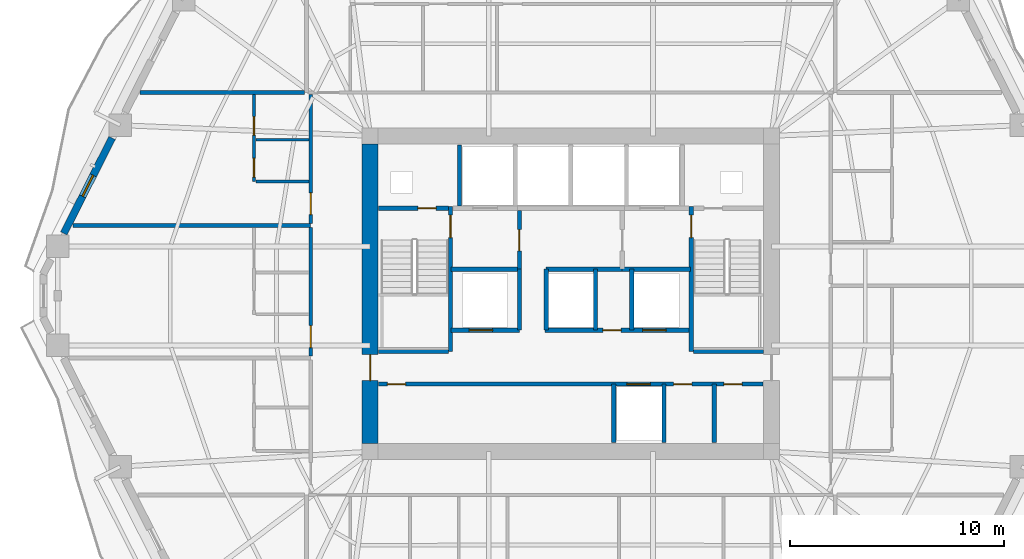
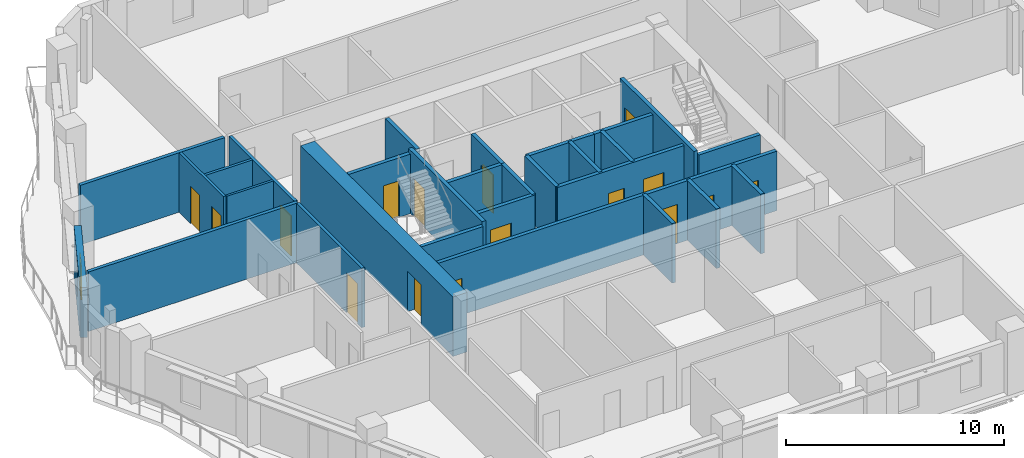
# One storey, part 5 of 12: 29 walls, 16 doors, 1 window, 17 openings.
"""IFC4 building model written with IfcOpenShell, lengths in metres."""

from ifc_helpers import new_model, si_unit, direction, frame, frame_2d, origin, place, context, subcontext, project, spatial, rectangle, extrude, material, layer, layer_set, type_object, element, fill, save


model = new_model("IFC4")

# Units and contexts
model_context = context("Model", 3, precision=1e-05, world=origin(), true_north=direction((0.0, 1.0)))
body_context = subcontext(model_context, "Body", "Model", "MODEL_VIEW")
ifc_project = project(units=[si_unit("LENGTHUNIT", "METRE"), si_unit("AREAUNIT", "SQUARE_METRE"), si_unit("VOLUMEUNIT", "CUBIC_METRE"), si_unit("PLANEANGLEUNIT", "RADIAN"), si_unit("MASSUNIT", "GRAM", prefix="KILO")], contexts=[model_context])

# Site, building, storey
site_placement = place(None, origin())
site = spatial("IfcSite", under=ifc_project, at=site_placement, CompositionType="ELEMENT")
building_placement = place(site_placement, origin())
building = spatial("IfcBuilding", under=site, at=building_placement, Name="Cinnabar Lancet Tower", CompositionType="ELEMENT")
storey_placement = place(building_placement, frame((0.0, 0.0, 123.25)))
storey = spatial("IfcBuildingStorey", under=building, at=storey_placement, Name="L32", CompositionType="ELEMENT", Elevation=123.25)

# Wall, opening, door
ifc_material_1 = material(Name="Acoustic twin-stud gypsum partition", Category="gypsum")
ifc_layer_1 = layer(ifc_material_1, 0.159912109375)
ifc_layer_set_1 = layer_set([ifc_layer_1], Name="Acoustic twin-stud gypsum partition")
wall_type_1 = type_object("IfcWallType", Name="ARC-WL-CORR-160", PredefinedType="PARTITIONING", material=ifc_layer_set_1)
wall_1_placement = place(storey_placement, frame((20.25, 22.987060546875, 0.0), z_axis=(0.0, 0.0, 1.0), x_axis=(0.0, 1.0, 0.0)))
wall_1 = element("IfcWall", 1, at=wall_1_placement, inside=storey, type_object=wall_type_1, Name="UW-L32-W02-COR", PredefinedType="PARTITIONING", context=body_context, shape_type="SweptSolid", body=[
    extrude(rectangle(XDim=6.013916015625, YDim=0.159912109375, at=frame_2d((3.0068359375, 0.0))), origin(), (0.0, 0.0, 1.0), 3.340087890625),
])
opening_1_placement = place(wall_1_placement, frame((0.39990234375, 0.0, 0.0)))
opening_1 = element("IfcOpeningElement", 2, at=opening_1_placement, cuts=wall_1, Name="Opening UD-01", PredefinedType="OPENING", context=body_context, shape_type="SweptSolid", body=[
    extrude(rectangle(XDim=1.02001953125, YDim=2.25, at=frame_2d((0.510009765625, 1.125))), frame((0.0, 0.08984375, 0.0), z_axis=(0.0, -1.0, 0.0), x_axis=(1.0, 0.0, 0.0)), (0.0, 0.0, 1.0), 0.179931640625),
])
ifc_material_2 = material(Name="Solid timber fire-rated apartment entrance door", Category="wood")
door_type_1 = type_object("IfcDoorType", Name="ARC-DR-UNIT", OperationType="NOTDEFINED", PredefinedType="DOOR", material=ifc_material_2)
door_1_placement = place(opening_1_placement, origin())
door_1 = element("IfcDoor", 3, at=door_1_placement, inside=storey, type_object=door_type_1, Name="DR-L32-W02-ENT", OperationType="SINGLE_SWING_RIGHT", OverallHeight=2.25, OverallWidth=1.02001953125, PredefinedType="DOOR", context=body_context, shape_type="SweptSolid", body=[
    extrude(rectangle(XDim=1.02001953125, YDim=2.25, at=frame_2d((0.510009765625, 1.125))), frame((0.0, 0.02490234375, 0.0), z_axis=(0.0, -1.0, 0.0), x_axis=(1.0, 0.0, 0.0)), (0.0, 0.0, 1.0), 0.050048828125),
])
fill(opening_1, door_1)

wall_2_placement = place(storey_placement, frame((20.25, 29.19091796875, 0.0), z_axis=(0.0, 0.0, 1.0), x_axis=(0.0, 1.0, 0.0)))
wall_2 = element("IfcWall", 4, at=wall_2_placement, inside=storey, type_object=wall_type_1, Name="UW-L32-W03-COR", PredefinedType="PARTITIONING", context=body_context, shape_type="SweptSolid", body=[
    extrude(rectangle(XDim=6.01416015625, YDim=0.159912109375, at=frame_2d((3.007080078125, 0.0))), origin(), (0.0, 0.0, 1.0), 3.340087890625),
])
opening_2_placement = place(wall_2_placement, frame((0.39990234375, 0.0, 0.0)))
opening_2 = element("IfcOpeningElement", 5, at=opening_2_placement, cuts=wall_2, Name="Opening UD-01", PredefinedType="OPENING", context=body_context, shape_type="SweptSolid", body=[
    extrude(rectangle(XDim=1.02001953125, YDim=2.25, at=frame_2d((0.510009765625, 1.125))), frame((0.0, 0.08984375, 0.0), z_axis=(0.0, -1.0, 0.0), x_axis=(1.0, 0.0, 0.0)), (0.0, 0.0, 1.0), 0.179931640625),
])
door_2_placement = place(opening_2_placement, origin())
door_2 = element("IfcDoor", 6, at=door_2_placement, inside=storey, type_object=door_type_1, Name="DR-L32-W03-ENT", OperationType="SINGLE_SWING_LEFT", OverallHeight=2.25, OverallWidth=1.02001953125, PredefinedType="DOOR", context=body_context, shape_type="SweptSolid", body=[
    extrude(rectangle(XDim=1.02001953125, YDim=2.25, at=frame_2d((0.510009765625, 1.125))), frame((0.0, 0.02490234375, 0.0), z_axis=(0.0, -1.0, 0.0), x_axis=(1.0, 0.0, 0.0)), (0.0, 0.0, 1.0), 0.050048828125),
])
fill(opening_2, door_2)

# Walls
ifc_material_3 = material(Name="Fire-rated twin-frame acoustic drywall", Category="gypsum")
ifc_layer_2 = layer(ifc_material_3, 0.179931640625)
ifc_layer_set_2 = layer_set([ifc_layer_2], Name="Fire-rated twin-frame acoustic drywall")
wall_type_2 = type_object("IfcWallType", Name="ARC-WL-PARTY-180", PredefinedType="PARTITIONING", material=ifc_layer_set_2)
wall_3_placement = place(storey_placement, frame((12.285888671875, 35.300048828125, 0.0), z_axis=(0.0, 0.0, 1.0), x_axis=(1.0, 0.0, 0.0)))
element("IfcWall", 7, at=wall_3_placement, inside=storey, type_object=wall_type_2, Name="PW-L32-WNB", PredefinedType="PARTITIONING", context=body_context, shape_type="SweptSolid", body=[
    extrude(rectangle(XDim=7.669189453125, YDim=0.179931640625, at=frame_2d((3.83447265625, 0.0))), origin(), (0.0, 0.0, 1.0), 3.340087890625),
])
wall_4_placement = place(storey_placement, frame((9.14697265625, 29.095947265625, 0.0), z_axis=(0.0, 0.0, 1.0), x_axis=(1.0, 0.0, 0.0)))
element("IfcWall", 8, at=wall_4_placement, inside=storey, type_object=wall_type_2, Name="PW-L32-WPTY-2", PredefinedType="PARTITIONING", context=body_context, shape_type="SweptSolid", body=[
    extrude(rectangle(XDim=11.10302734375, YDim=0.179931640625, at=frame_2d((5.551513671875, 0.0))), origin(), (0.0, 0.0, 1.0), 3.340087890625),
])
ifc_material_4 = material(Name="Autoclaved aerated concrete blockwork", Category="masonry")
ifc_layer_3 = layer(ifc_material_4, 0.199951171875)
ifc_layer_set_3 = layer_set([ifc_layer_3], Name="Autoclaved aerated concrete blockwork")
wall_type_3 = type_object("IfcWallType", Name="ARC-WL-SHAFT-200", PredefinedType="PLUMBINGWALL", material=ifc_layer_set_3)
for number, where, z_axis, x_axis, name in (
    (9, (23.405029296875, 23.199951171875, 0.0), (0.0, 0.0, 1.0), (1.0, 0.0, 0.0), "CW-ST1S-L32"),
    (10, (38.125, 23.199951171875, 0.0), (0.0, 0.0, 1.0), (1.0, 0.0, 0.0), "CW-ST2S-L32"),
):
    element("IfcWall", number, at=place(storey_placement, frame(where, z_axis=z_axis, x_axis=x_axis)), inside=storey, type_object=wall_type_3, Name=name, PredefinedType="PLUMBINGWALL", context=body_context, shape_type="SweptSolid", body=[
        extrude(rectangle(XDim=3.27001953125, YDim=0.199951171875, at=frame_2d((1.635009765625, 0.0))), origin(), (0.0, 0.0, 1.0), 3.340087890625),
    ])

# Wall, opening, door
wall_5_placement = place(storey_placement, frame((23.405029296875, 29.89990234375, 0.0), z_axis=(0.0, 0.0, 1.0), x_axis=(1.0, 0.0, 0.0)))
wall_5 = element("IfcWall", 11, at=wall_5_placement, inside=storey, type_object=wall_type_3, Name="CW-NSH-W-L32", PredefinedType="PLUMBINGWALL", context=body_context, shape_type="SweptSolid", body=[
    extrude(rectangle(XDim=3.27001953125, YDim=0.199951171875, at=frame_2d((1.635009765625, 0.0))), origin(), (0.0, 0.0, 1.0), 3.340087890625),
])
opening_3_placement = place(wall_5_placement, frame((1.85009765625, 0.0, 0.0)))
opening_3 = element("IfcOpeningElement", 12, at=opening_3_placement, cuts=wall_5, Name="Opening PD-02", PredefinedType="OPENING", context=body_context, shape_type="SweptSolid", body=[
    extrude(rectangle(XDim=0.85009765625, YDim=2.050048828125, at=frame_2d((0.425048828125, 1.02490234375))), frame((0.0, 0.10986328125, 0.0), z_axis=(0.0, -1.0, 0.0), x_axis=(1.0, 0.0, 0.0)), (0.0, 0.0, 1.0), 0.219970703125),
])
ifc_material_5 = material(Name="Fire-rated steel riser access door", Category="steel")
door_type_2 = type_object("IfcDoorType", Name="ARC-DR-RISER", OperationType="NOTDEFINED", PredefinedType="DOOR", material=ifc_material_5)
door_3_placement = place(opening_3_placement, origin())
door_3 = element("IfcDoor", 13, at=door_3_placement, inside=storey, type_object=door_type_2, Name="L32 West Riser Access Door", OperationType="SINGLE_SWING_LEFT", OverallHeight=2.050048828125, OverallWidth=0.85009765625, PredefinedType="DOOR", context=body_context, shape_type="SweptSolid", body=[
    extrude(rectangle(XDim=0.85009765625, YDim=2.050048828125, at=frame_2d((0.425048828125, 1.02490234375))), frame((0.0, 0.02490234375, 0.0), z_axis=(0.0, -1.0, 0.0), x_axis=(1.0, 0.0, 0.0)), (0.0, 0.0, 1.0), 0.050048828125),
])
fill(opening_3, door_3)

# Wall
wall_6_placement = place(storey_placement, frame((27.199951171875, 30.0, 0.0), z_axis=(0.0, 0.0, 1.0), x_axis=(0.0, 1.0, 0.0)))
element("IfcWall", 14, at=wall_6_placement, inside=storey, type_object=wall_type_3, Name="CW-NSH-D1-L32", PredefinedType="PLUMBINGWALL", context=body_context, shape_type="SweptSolid", body=[
    extrude(rectangle(XDim=2.85009765625, YDim=0.199951171875, at=frame_2d((1.425048828125, 0.0))), origin(), (0.0, 0.0, 1.0), 3.340087890625),
])

# Wall, opening, door
wall_7_placement = place(storey_placement, frame((30.0, 27.050048828125, 0.0), z_axis=(0.0, 0.0, 1.0), x_axis=(0.0, 1.0, 0.0)))
wall_7 = element("IfcWall", 15, at=wall_7_placement, inside=storey, type_object=wall_type_3, Name="CW-FF1E-L32", PredefinedType="PLUMBINGWALL", context=body_context, shape_type="SweptSolid", body=[
    extrude(rectangle(XDim=2.75, YDim=0.199951171875, at=frame_2d((1.375, 0.0))), origin(), (0.0, 0.0, 1.0), 3.340087890625),
])
opening_4_placement = place(wall_7_placement, frame((0.85009765625, 0.0, 0.0)))
opening_4 = element("IfcOpeningElement", 16, at=opening_4_placement, cuts=wall_7, Name="Opening FD-01", PredefinedType="OPENING", context=body_context, shape_type="SweptSolid", body=[
    extrude(rectangle(XDim=1.0, YDim=2.14990234375, at=frame_2d((0.5, 1.074951171875))), frame((0.0, 0.10986328125, 0.0), z_axis=(0.0, -1.0, 0.0), x_axis=(1.0, 0.0, 0.0)), (0.0, 0.0, 1.0), 0.219970703125),
])
ifc_material_6 = material(Name="Fire-rated timber-core lobby door", Category="wood")
door_type_3 = type_object("IfcDoorType", Name="ARC-DR-FFAL", OperationType="NOTDEFINED", PredefinedType="DOOR", material=ifc_material_6)
door_4_placement = place(opening_4_placement, origin())
door_4 = element("IfcDoor", 17, at=door_4_placement, inside=storey, type_object=door_type_3, Name="L32 FFAL-1 Lobby Fire Door", OperationType="SINGLE_SWING_RIGHT", OverallHeight=2.14990234375, OverallWidth=1.0, PredefinedType="DOOR", context=body_context, shape_type="SweptSolid", body=[
    extrude(rectangle(XDim=1.0, YDim=2.14990234375, at=frame_2d((0.5, 1.074951171875))), frame((0.0, 0.02490234375, 0.0), z_axis=(0.0, -1.0, 0.0), x_axis=(1.0, 0.0, 0.0)), (0.0, 0.0, 1.0), 0.050048828125),
])
fill(opening_4, door_4)

# Walls
for number, where, z_axis, x_axis, name in (
    (18, (26.800048828125, 27.050048828125, 0.0), (0.0, 0.0, 1.0), (1.0, 0.0, 0.0), "CW-FF1S-L32"),
    (19, (34.800048828125, 27.050048828125, 0.0), (0.0, 0.0, 1.0), (1.0, 0.0, 0.0), "CW-FF2S-L32"),
):
    element("IfcWall", number, at=place(storey_placement, frame(where, z_axis=z_axis, x_axis=x_axis)), inside=storey, type_object=wall_type_3, Name=name, PredefinedType="PLUMBINGWALL", context=body_context, shape_type="SweptSolid", body=[
        extrude(rectangle(XDim=3.199951171875, YDim=0.199951171875, at=frame_2d((1.60009765625, 0.0))), origin(), (0.0, 0.0, 1.0), 3.340087890625),
    ])

# Wall, opening, door
wall_8_placement = place(storey_placement, frame((26.800048828125, 24.199951171875, 0.0), z_axis=(0.0, 0.0, 1.0), x_axis=(1.0, 0.0, 0.0)))
wall_8 = element("IfcWall", 20, at=wall_8_placement, inside=storey, type_object=wall_type_3, Name="CW-PL5S-L32", PredefinedType="PLUMBINGWALL", context=body_context, shape_type="SweptSolid", body=[
    extrude(rectangle(XDim=3.199951171875, YDim=0.199951171875, at=frame_2d((1.60009765625, 0.0))), origin(), (0.0, 0.0, 1.0), 3.340087890625),
])
opening_5_placement = place(wall_8_placement, frame((0.85009765625, 0.0, 0.0)))
opening_5 = element("IfcOpeningElement", 21, at=opening_5_placement, cuts=wall_8, Name="Opening LD-01", PredefinedType="OPENING", context=body_context, shape_type="SweptSolid", body=[
    extrude(rectangle(XDim=1.10009765625, YDim=2.199951171875, at=frame_2d((0.550048828125, 1.10009765625))), frame((0.0, 0.10986328125, 0.0), z_axis=(0.0, -1.0, 0.0), x_axis=(1.0, 0.0, 0.0)), (0.0, 0.0, 1.0), 0.219970703125),
])
ifc_material_7 = material(Name="Brushed stainless steel sliding lift door", Category="steel")
door_type_4 = type_object("IfcDoorType", Name="ARC-DR-LD-PASS", OperationType="NOTDEFINED", PredefinedType="DOOR", material=ifc_material_7)
door_5_placement = place(opening_5_placement, origin())
door_5 = element("IfcDoor", 22, at=door_5_placement, inside=storey, type_object=door_type_4, Name="L32 Lift PL-5 Landing Door", OperationType="DOUBLE_DOOR_SLIDING", OverallHeight=2.199951171875, OverallWidth=1.10009765625, PredefinedType="DOOR", context=body_context, shape_type="SweptSolid", body=[
    extrude(rectangle(XDim=1.10009765625, YDim=2.199951171875, at=frame_2d((0.550048828125, 1.10009765625))), frame((0.0, 0.02490234375, 0.0), z_axis=(0.0, -1.0, 0.0), x_axis=(1.0, 0.0, 0.0)), (0.0, 0.0, 1.0), 0.050048828125),
])
fill(opening_5, door_5)

# Wall
wall_9_placement = place(storey_placement, frame((30.0, 24.199951171875, 0.0), z_axis=(0.0, 0.0, 1.0), x_axis=(0.0, 1.0, 0.0)))
element("IfcWall", 23, at=wall_9_placement, inside=storey, type_object=wall_type_3, Name="CW-PL5E-L32", PredefinedType="PLUMBINGWALL", context=body_context, shape_type="SweptSolid", body=[
    extrude(rectangle(XDim=2.85009765625, YDim=0.199951171875, at=frame_2d((1.425048828125, 0.0))), origin(), (0.0, 0.0, 1.0), 3.340087890625),
])

# Wall, openings, doors
wall_10_placement = place(storey_placement, frame((31.199951171875, 24.199951171875, 0.0), z_axis=(0.0, 0.0, 1.0), x_axis=(1.0, 0.0, 0.0)))
wall_10 = element("IfcWall", 24, at=wall_10_placement, inside=storey, type_object=wall_type_3, Name="CW-PL96S-L32", PredefinedType="PLUMBINGWALL", context=body_context, shape_type="SweptSolid", body=[
    extrude(rectangle(XDim=6.800048828125, YDim=0.199951171875, at=frame_2d((3.39990234375, 0.0))), origin(), (0.0, 0.0, 1.0), 3.340087890625),
])
opening_6_placement = place(wall_10_placement, frame((2.699951171875, 0.0, 0.0)))
opening_6 = element("IfcOpeningElement", 25, at=opening_6_placement, cuts=wall_10, Name="Opening PD-02", PredefinedType="OPENING", context=body_context, shape_type="SweptSolid", body=[
    extrude(rectangle(XDim=0.85009765625, YDim=2.050048828125, at=frame_2d((0.425048828125, 1.02490234375))), frame((0.0, 0.10986328125, 0.0), z_axis=(0.0, -1.0, 0.0), x_axis=(1.0, 0.0, 0.0)), (0.0, 0.0, 1.0), 0.219970703125),
])
opening_7_placement = place(wall_10_placement, frame((4.550048828125, 0.0, 0.0)))
opening_7 = element("IfcOpeningElement", 26, at=opening_7_placement, cuts=wall_10, Name="Opening LD-01", PredefinedType="OPENING", context=body_context, shape_type="SweptSolid", body=[
    extrude(rectangle(XDim=1.10009765625, YDim=2.199951171875, at=frame_2d((0.550048828125, 1.10009765625))), frame((0.0, 0.10986328125, 0.0), z_axis=(0.0, -1.0, 0.0), x_axis=(1.0, 0.0, 0.0)), (0.0, 0.0, 1.0), 0.219970703125),
])
door_6_placement = place(opening_7_placement, origin())
door_6 = element("IfcDoor", 27, at=door_6_placement, inside=storey, type_object=door_type_4, Name="L32 Lift PL-6 Landing Door", OperationType="DOUBLE_DOOR_SLIDING", OverallHeight=2.199951171875, OverallWidth=1.10009765625, PredefinedType="DOOR", context=body_context, shape_type="SweptSolid", body=[
    extrude(rectangle(XDim=1.10009765625, YDim=2.199951171875, at=frame_2d((0.550048828125, 1.10009765625))), frame((0.0, 0.02490234375, 0.0), z_axis=(0.0, -1.0, 0.0), x_axis=(1.0, 0.0, 0.0)), (0.0, 0.0, 1.0), 0.050048828125),
])
fill(opening_7, door_6)
door_7_placement = place(opening_6_placement, origin())
door_7 = element("IfcDoor", 28, at=door_7_placement, inside=storey, type_object=door_type_2, Name="L32 BMS Closet Door", OperationType="SINGLE_SWING_LEFT", OverallHeight=2.050048828125, OverallWidth=0.85009765625, PredefinedType="DOOR", context=body_context, shape_type="SweptSolid", body=[
    extrude(rectangle(XDim=0.85009765625, YDim=2.050048828125, at=frame_2d((0.425048828125, 1.02490234375))), frame((0.0, 0.02490234375, 0.0), z_axis=(0.0, -1.0, 0.0), x_axis=(1.0, 0.0, 0.0)), (0.0, 0.0, 1.0), 0.050048828125),
])
fill(opening_6, door_7)

# Walls
for number, where, z_axis, x_axis, name in (
    (29, (31.25, 24.199951171875, 0.0), (0.0, 0.0, 1.0), (0.0, 1.0, 0.0), "CW-PL9W-L32"),
    (30, (33.550048828125, 24.199951171875, 0.0), (0.0, 0.0, 1.0), (0.0, 1.0, 0.0), "CW-PL9E-L32"),
    (31, (35.25, 24.199951171875, 0.0), (0.0, 0.0, 1.0), (0.0, 1.0, 0.0), "CW-PL6W-L32"),
):
    element("IfcWall", number, at=place(storey_placement, frame(where, z_axis=z_axis, x_axis=x_axis)), inside=storey, type_object=wall_type_3, Name=name, PredefinedType="PLUMBINGWALL", context=body_context, shape_type="SweptSolid", body=[
        extrude(rectangle(XDim=2.85009765625, YDim=0.199951171875, at=frame_2d((1.425048828125, 0.0))), origin(), (0.0, 0.0, 1.0), 3.340087890625),
    ])
wall_11_placement = place(storey_placement, frame((31.25, 27.050048828125, 0.0), z_axis=(0.0, 0.0, 1.0), x_axis=(1.0, 0.0, 0.0)))
element("IfcWall", 32, at=wall_11_placement, inside=storey, type_object=wall_type_3, Name="CW-PL96N-L32", PredefinedType="PLUMBINGWALL", context=body_context, shape_type="SweptSolid", body=[
    extrude(rectangle(XDim=3.550048828125, YDim=0.199951171875, at=frame_2d((1.77490234375, 0.0))), origin(), (0.0, 0.0, 1.0), 3.340087890625),
])

# Wall, openings, doors
wall_12_placement = place(storey_placement, frame((23.419921875, 21.679931640625, 0.0), z_axis=(0.0, 0.0, 1.0), x_axis=(1.0, 0.0, 0.0)))
wall_12 = element("IfcWall", 33, at=wall_12_placement, inside=storey, type_object=wall_type_3, Name="CW-SBANDN-L32", PredefinedType="PLUMBINGWALL", context=body_context, shape_type="SweptSolid", body=[
    extrude(rectangle(XDim=17.9599609375, YDim=0.199951171875, at=frame_2d((8.97998046875, 0.0))), origin(), (0.0, 0.0, 1.0), 3.340087890625),
])
opening_8_placement = place(wall_12_placement, frame((11.60009765625, 0.0, 0.0)))
opening_8 = element("IfcOpeningElement", 34, at=opening_8_placement, cuts=wall_12, Name="Opening LD-01", PredefinedType="OPENING", context=body_context, shape_type="SweptSolid", body=[
    extrude(rectangle(XDim=1.10009765625, YDim=2.199951171875, at=frame_2d((0.550048828125, 1.10009765625))), frame((0.0, 0.10986328125, 0.0), z_axis=(0.0, -1.0, 0.0), x_axis=(1.0, 0.0, 0.0)), (0.0, 0.0, 1.0), 0.219970703125),
])
opening_9_placement = place(wall_12_placement, frame((0.409912109375, 0.0, 0.0)))
opening_9 = element("IfcOpeningElement", 35, at=opening_9_placement, cuts=wall_12, Name="Opening PD-02", PredefinedType="OPENING", context=body_context, shape_type="SweptSolid", body=[
    extrude(rectangle(XDim=0.85009765625, YDim=2.050048828125, at=frame_2d((0.425048828125, 1.02490234375))), frame((0.0, 0.10986328125, 0.0), z_axis=(0.0, -1.0, 0.0), x_axis=(1.0, 0.0, 0.0)), (0.0, 0.0, 1.0), 0.219970703125),
])
opening_10_placement = place(wall_12_placement, frame((13.780029296875, 0.0, 0.0)))
opening_10 = element("IfcOpeningElement", 36, at=opening_10_placement, cuts=wall_12, Name="Opening PD-02", PredefinedType="OPENING", context=body_context, shape_type="SweptSolid", body=[
    extrude(rectangle(XDim=0.85009765625, YDim=2.050048828125, at=frame_2d((0.425048828125, 1.02490234375))), frame((0.0, 0.10986328125, 0.0), z_axis=(0.0, -1.0, 0.0), x_axis=(1.0, 0.0, 0.0)), (0.0, 0.0, 1.0), 0.219970703125),
])
opening_11_placement = place(wall_12_placement, frame((16.1298828125, 0.0, 0.0)))
opening_11 = element("IfcOpeningElement", 37, at=opening_11_placement, cuts=wall_12, Name="Opening PD-02", PredefinedType="OPENING", context=body_context, shape_type="SweptSolid", body=[
    extrude(rectangle(XDim=0.85009765625, YDim=2.050048828125, at=frame_2d((0.425048828125, 1.02490234375))), frame((0.0, 0.10986328125, 0.0), z_axis=(0.0, -1.0, 0.0), x_axis=(1.0, 0.0, 0.0)), (0.0, 0.0, 1.0), 0.219970703125),
])
door_8_placement = place(opening_8_placement, origin())
door_8 = element("IfcDoor", 38, at=door_8_placement, inside=storey, type_object=door_type_4, Name="L32 Lift PL-4 Landing Door", OperationType="DOUBLE_DOOR_SLIDING", OverallHeight=2.199951171875, OverallWidth=1.10009765625, PredefinedType="DOOR", context=body_context, shape_type="SweptSolid", body=[
    extrude(rectangle(XDim=1.10009765625, YDim=2.199951171875, at=frame_2d((0.550048828125, 1.10009765625))), frame((0.0, 0.02490234375, 0.0), z_axis=(0.0, -1.0, 0.0), x_axis=(1.0, 0.0, 0.0)), (0.0, 0.0, 1.0), 0.050048828125),
])
fill(opening_8, door_8)
door_9_placement = place(opening_9_placement, origin())
door_9 = element("IfcDoor", 39, at=door_9_placement, inside=storey, type_object=door_type_2, Name="DR-L32-MREC1", OperationType="SINGLE_SWING_LEFT", OverallHeight=2.050048828125, OverallWidth=0.85009765625, PredefinedType="DOOR", context=body_context, shape_type="SweptSolid", body=[
    extrude(rectangle(XDim=0.85009765625, YDim=2.050048828125, at=frame_2d((0.425048828125, 1.02490234375))), frame((0.0, 0.02490234375, 0.0), z_axis=(0.0, -1.0, 0.0), x_axis=(1.0, 0.0, 0.0)), (0.0, 0.0, 1.0), 0.050048828125),
])
fill(opening_9, door_9)
door_10_placement = place(opening_10_placement, origin())
door_10 = element("IfcDoor", 40, at=door_10_placement, inside=storey, type_object=door_type_2, Name="DR-L32-MREC2", OperationType="SINGLE_SWING_RIGHT", OverallHeight=2.050048828125, OverallWidth=0.85009765625, PredefinedType="DOOR", context=body_context, shape_type="SweptSolid", body=[
    extrude(rectangle(XDim=0.85009765625, YDim=2.050048828125, at=frame_2d((0.425048828125, 1.02490234375))), frame((0.0, 0.02490234375, 0.0), z_axis=(0.0, -1.0, 0.0), x_axis=(1.0, 0.0, 0.0)), (0.0, 0.0, 1.0), 0.050048828125),
])
fill(opening_10, door_10)
door_11_placement = place(opening_11_placement, origin())
door_11 = element("IfcDoor", 41, at=door_11_placement, inside=storey, type_object=door_type_2, Name="DR-L32-MREC3", OperationType="SINGLE_SWING_LEFT", OverallHeight=2.050048828125, OverallWidth=0.85009765625, PredefinedType="DOOR", context=body_context, shape_type="SweptSolid", body=[
    extrude(rectangle(XDim=0.85009765625, YDim=2.050048828125, at=frame_2d((0.425048828125, 1.02490234375))), frame((0.0, 0.02490234375, 0.0), z_axis=(0.0, -1.0, 0.0), x_axis=(1.0, 0.0, 0.0)), (0.0, 0.0, 1.0), 0.050048828125),
])
fill(opening_11, door_11)

# Walls
for number, where, z_axis, x_axis, name in (
    (42, (34.39990234375, 18.949951171875, 0.0), (0.0, 0.0, 1.0), (0.0, 1.0, 0.0), "CW-SB-3440-L32"),
    (43, (36.75, 18.949951171875, 0.0), (0.0, 0.0, 1.0), (0.0, 1.0, 0.0), "CW-SB-3675-L32"),
    (44, (39.10009765625, 18.949951171875, 0.0), (0.0, 0.0, 1.0), (0.0, 1.0, 0.0), "CW-SB-3910-L32"),
):
    element("IfcWall", number, at=place(storey_placement, frame(where, z_axis=z_axis, x_axis=x_axis)), inside=storey, type_object=wall_type_3, Name=name, PredefinedType="PLUMBINGWALL", context=body_context, shape_type="SweptSolid", body=[
        extrude(rectangle(XDim=2.72998046875, YDim=0.199951171875, at=frame_2d((1.364990234375, 0.0))), origin(), (0.0, 0.0, 1.0), 3.340087890625),
    ])
ifc_material_8 = material(Name="Gypsum plasterboard stud partition", Category="gypsum")
ifc_layer_4 = layer(ifc_material_8, 0.125)
ifc_layer_set_4 = layer_set([ifc_layer_4], Name="Gypsum plasterboard stud partition")
wall_type_4 = type_object("IfcWallType", Name="ARC-WL-UNIT-125", PredefinedType="PARTITIONING", material=ifc_layer_set_4)
wall_13_placement = place(storey_placement, frame((17.68505859375, 31.14599609375, 0.0), z_axis=(0.0, 0.0, 1.0), x_axis=(1.0, 0.0, 0.0)))
element("IfcWall", 45, at=wall_13_placement, inside=storey, type_object=wall_type_4, Name="UW-L32-W03-FOYN", PredefinedType="PARTITIONING", context=body_context, shape_type="SweptSolid", body=[
    extrude(rectangle(XDim=2.47998046875, YDim=0.125, at=frame_2d((1.239990234375, 0.0))), origin(), (0.0, 0.0, 1.0), 3.340087890625),
])

# Wall, openings, doors
ifc_material_9 = material(Name="Moisture-resistant cement-board plumbing wall", Category="masonry")
ifc_layer_5 = layer(ifc_material_9, 0.139892578125)
ifc_layer_set_5 = layer_set([ifc_layer_5], Name="Moisture-resistant cement-board plumbing wall")
wall_type_5 = type_object("IfcWallType", Name="ARC-WL-WET-140", PredefinedType="PLUMBINGWALL", material=ifc_layer_set_5)
wall_14_placement = place(storey_placement, frame((17.60009765625, 31.14599609375, 0.0), z_axis=(0.0, 0.0, 1.0), x_axis=(0.0, 1.0, 0.0)))
wall_14 = element("IfcWall", 46, at=wall_14_placement, inside=storey, type_object=wall_type_5, Name="UW-L32-W03-SPL", PredefinedType="PLUMBINGWALL", context=body_context, shape_type="SweptSolid", body=[
    extrude(rectangle(XDim=4.05908203125, YDim=0.139892578125, at=frame_2d((2.029541015625, 0.0))), origin(), (0.0, 0.0, 1.0), 3.340087890625),
])
opening_12_placement = place(wall_14_placement, frame((2.16796875, 0.0, 0.0)))
opening_12 = element("IfcOpeningElement", 47, at=opening_12_placement, cuts=wall_14, Name="Opening BD-01", PredefinedType="OPENING", context=body_context, shape_type="SweptSolid", body=[
    extrude(rectangle(XDim=0.860107421875, YDim=2.10009765625, at=frame_2d((0.43017578125, 1.050048828125))), frame((0.0, 0.079833984375, 0.0), z_axis=(0.0, -1.0, 0.0), x_axis=(1.0, 0.0, 0.0)), (0.0, 0.0, 1.0), 0.159912109375),
])
opening_13_placement = place(wall_14_placement, frame((0.199951171875, 0.0, 0.0)))
opening_13 = element("IfcOpeningElement", 48, at=opening_13_placement, cuts=wall_14, Name="Opening RD-02", PredefinedType="OPENING", context=body_context, shape_type="SweptSolid", body=[
    extrude(rectangle(XDim=0.8798828125, YDim=2.14990234375, at=frame_2d((0.43994140625, 1.074951171875))), frame((0.0, 0.079833984375, 0.0), z_axis=(0.0, -1.0, 0.0), x_axis=(1.0, 0.0, 0.0)), (0.0, 0.0, 1.0), 0.159912109375),
])
ifc_material_10 = material(Name="Moisture-resistant timber bathroom door", Category="wood")
door_type_5 = type_object("IfcDoorType", Name="ARC-DR-BATH", OperationType="NOTDEFINED", PredefinedType="DOOR", material=ifc_material_10)
door_12_placement = place(opening_12_placement, origin())
door_12 = element("IfcDoor", 49, at=door_12_placement, inside=storey, type_object=door_type_5, Name="DR-L32-W03-BTH", OperationType="SINGLE_SWING_LEFT", OverallHeight=2.10009765625, OverallWidth=0.860107421875, PredefinedType="DOOR", context=body_context, shape_type="SweptSolid", body=[
    extrude(rectangle(XDim=0.860107421875, YDim=2.10009765625, at=frame_2d((0.43017578125, 1.050048828125))), frame((0.0, 0.02490234375, 0.0), z_axis=(0.0, -1.0, 0.0), x_axis=(1.0, 0.0, 0.0)), (0.0, 0.0, 1.0), 0.050048828125),
])
fill(opening_12, door_12)
ifc_material_11 = material(Name="Engineered timber study door", Category="wood")
door_type_6 = type_object("IfcDoorType", Name="ARC-DR-STUDY", OperationType="NOTDEFINED", PredefinedType="DOOR", material=ifc_material_11)
door_13_placement = place(opening_13_placement, origin())
door_13 = element("IfcDoor", 50, at=door_13_placement, inside=storey, type_object=door_type_6, Name="DR-L32-W03-KIT", OperationType="SINGLE_SWING_RIGHT", OverallHeight=2.14990234375, OverallWidth=0.8798828125, PredefinedType="DOOR", context=body_context, shape_type="SweptSolid", body=[
    extrude(rectangle(XDim=0.8798828125, YDim=2.14990234375, at=frame_2d((0.43994140625, 1.074951171875))), frame((0.0, 0.02490234375, 0.0), z_axis=(0.0, -1.0, 0.0), x_axis=(1.0, 0.0, 0.0)), (0.0, 0.0, 1.0), 0.050048828125),
])
fill(opening_13, door_13)

# Wall
wall_15_placement = place(storey_placement, frame((17.68505859375, 33.093994140625, 0.0), z_axis=(0.0, 0.0, 1.0), x_axis=(1.0, 0.0, 0.0)))
element("IfcWall", 51, at=wall_15_placement, inside=storey, type_object=wall_type_5, Name="UW-L32-W03-KDV", PredefinedType="PLUMBINGWALL", context=body_context, shape_type="SweptSolid", body=[
    extrude(rectangle(XDim=2.47998046875, YDim=0.139892578125, at=frame_2d((1.239990234375, 0.0))), origin(), (0.0, 0.0, 1.0), 3.340087890625),
])

# Wall, opening, window
ifc_material_12 = material(Name="Cinnabar red clay brick", Category="masonry")
ifc_layer_6 = layer(ifc_material_12, 0.340087890625)
ifc_layer_set_6 = layer_set([ifc_layer_6], Name="Cinnabar red clay brick")
wall_type_6 = type_object("IfcWallType", Name="ENV-WL-BRK-RED-340", PredefinedType="STANDARD", material=ifc_layer_set_6)
wall_16_placement = place(storey_placement, frame((10.968017578125, 33.172119140625, 0.0), z_axis=(0.0, 0.0, 1.0), x_axis=(-0.451470533039, -0.892286029139, 0.0)))
wall_16 = element("IfcWall", 52, at=wall_16_placement, inside=storey, type_object=wall_type_6, Name="L32 Face 5 Masonry Bay Wall 4", PredefinedType="STANDARD", context=body_context, shape_type="SweptSolid", body=[
    extrude(rectangle(XDim=4.9951171875, YDim=0.340087890625, at=frame_2d((2.49755859375, 0.0))), origin(), (0.0, 0.0, 1.0), 2.797119140625),
])
opening_14_placement = place(wall_16_placement, frame((1.947021484375, 0.0, 0.75)))
opening_14 = element("IfcOpeningElement", 53, at=opening_14_placement, cuts=wall_16, Name="Opening WN-04", PredefinedType="OPENING", context=body_context, shape_type="SweptSolid", body=[
    extrude(rectangle(XDim=1.10009765625, YDim=1.89697265625, at=frame_2d((0.550048828125, 0.948486328125))), frame((0.0, 0.179931640625, 0.0), z_axis=(0.0, -1.0, 0.0), x_axis=(1.0, 0.0, 0.0)), (0.0, 0.0, 1.0), 0.360107421875),
])
ifc_material_13 = material(Name="Thermally broken bronze-anodized aluminium tall lancet window", Category="aluminium")
window_type = type_object("IfcWindowType", Name="ENV-WN-LANCET-1100", PartitioningType="SINGLE_PANEL", PredefinedType="WINDOW", material=ifc_material_13)
window_placement = place(opening_14_placement, origin())
window = element("IfcWindow", 54, at=window_placement, inside=storey, type_object=window_type, Name="L32 Face 5 Gothic Lancet Window 4", OverallHeight=1.89697265625, OverallWidth=1.10009765625, PartitioningType="SINGLE_PANEL", PredefinedType="WINDOW", context=body_context, shape_type="SweptSolid", body=[
    extrude(rectangle(XDim=1.10009765625, YDim=1.89697265625, at=frame_2d((0.550048828125, 0.948486328125))), frame((0.0, 0.030029296875, 0.0), z_axis=(0.0, -1.0, 0.0), x_axis=(1.0, 0.0, 0.0)), (0.0, 0.0, 1.0), 0.06005859375),
])
fill(opening_14, window)

# Wall, opening, door
ifc_material_14 = material(Name="Concrete C70/85", Category="concrete")
ifc_layer_7 = layer(ifc_material_14, 0.75)
ifc_layer_set_7 = layer_set([ifc_layer_7], Name="Concrete C70/85")
wall_type_7 = type_object("IfcWallType", Name="STR-WL-CORE-750", PredefinedType="SHEAR", material=ifc_layer_set_7)
wall_17_placement = place(storey_placement, frame((23.02490234375, 18.89990234375, 0.0), z_axis=(0.0, 0.0, 1.0), x_axis=(0.0, 1.0, 0.0)))
wall_17 = element("IfcWall", 55, at=wall_17_placement, inside=storey, type_object=wall_type_7, Name="L32 Core Shear Wall W", PredefinedType="SHEAR", context=body_context, shape_type="SweptSolid", body=[
    extrude(rectangle(XDim=14.0, YDim=0.75, at=frame_2d((7.0, 0.0))), origin(), (0.0, 0.0, 1.0), 3.340087890625),
])
opening_15_placement = place(wall_17_placement, frame((2.93994140625, 0.0, 0.0)))
opening_15 = element("IfcOpeningElement", 56, at=opening_15_placement, cuts=wall_17, Name="Opening FD-02", PredefinedType="OPENING", context=body_context, shape_type="SweptSolid", body=[
    extrude(rectangle(XDim=1.219970703125, YDim=2.25, at=frame_2d((0.60986328125, 1.125))), frame((0.0, 0.385009765625, 0.0), z_axis=(0.0, -1.0, 0.0), x_axis=(1.0, 0.0, 0.0)), (0.0, 0.0, 1.0), 0.77001953125),
])
ifc_material_15 = material(Name="Fire-rated double-vision core portal door", Category="wood")
door_type_7 = type_object("IfcDoorType", Name="ARC-DR-CPORT", OperationType="NOTDEFINED", PredefinedType="DOOR", material=ifc_material_15)
door_14_placement = place(opening_15_placement, origin())
door_14 = element("IfcDoor", 57, at=door_14_placement, inside=storey, type_object=door_type_7, Name="L32 West Core Lobby Fire Door", OperationType="SINGLE_SWING_RIGHT", OverallHeight=2.25, OverallWidth=1.219970703125, PredefinedType="DOOR", context=body_context, shape_type="SweptSolid", body=[
    extrude(rectangle(XDim=1.219970703125, YDim=2.25, at=frame_2d((0.60986328125, 1.125))), frame((0.0, 0.02490234375, 0.0), z_axis=(0.0, -1.0, 0.0), x_axis=(1.0, 0.0, 0.0)), (0.0, 0.0, 1.0), 0.050048828125),
])
fill(opening_15, door_14)

ifc_material_16 = material(Name="Concrete C50/60", Category="concrete")
ifc_layer_8 = layer(ifc_material_16, 0.199951171875)
ifc_layer_set_8 = layer_set([ifc_layer_8], Name="Concrete C50/60")
wall_type_8 = type_object("IfcWallType", Name="STR-WL-STAIR-200", PredefinedType="SHEAR", material=ifc_layer_set_8)
wall_18_placement = place(storey_placement, frame((26.780029296875, 23.199951171875, 0.0), z_axis=(0.0, 0.0, 1.0), x_axis=(0.0, 1.0, 0.0)))
wall_18 = element("IfcWall", 58, at=wall_18_placement, inside=storey, type_object=wall_type_8, Name="L32 Stair ST-1 Structural Enclosure Wall", PredefinedType="SHEAR", context=body_context, shape_type="SweptSolid", body=[
    extrude(rectangle(XDim=6.780029296875, YDim=0.199951171875, at=frame_2d((3.39013671875, 0.0))), origin(), (0.0, 0.0, 1.0), 3.550048828125),
])
opening_16_placement = place(wall_18_placement, frame((5.320068359375, 0.0, 0.0)))
opening_16 = element("IfcOpeningElement", 59, at=opening_16_placement, cuts=wall_18, Name="Opening SD-01", PredefinedType="OPENING", context=body_context, shape_type="SweptSolid", body=[
    extrude(rectangle(XDim=1.050048828125, YDim=2.14990234375, at=frame_2d((0.52490234375, 1.074951171875))), frame((0.0, 0.10986328125, 0.0), z_axis=(0.0, -1.0, 0.0), x_axis=(1.0, 0.0, 0.0)), (0.0, 0.0, 1.0), 0.219970703125),
])
ifc_material_17 = material(Name="Fire-rated steel stair exit door", Category="steel")
door_type_8 = type_object("IfcDoorType", Name="ARC-DR-STAIR", OperationType="NOTDEFINED", PredefinedType="DOOR", material=ifc_material_17)
door_15_placement = place(opening_16_placement, origin())
door_15 = element("IfcDoor", 60, at=door_15_placement, inside=storey, type_object=door_type_8, Name="L32 Stair ST-1 Fire Door", OperationType="SINGLE_SWING_LEFT", OverallHeight=2.14990234375, OverallWidth=1.050048828125, PredefinedType="DOOR", context=body_context, shape_type="SweptSolid", body=[
    extrude(rectangle(XDim=1.050048828125, YDim=2.14990234375, at=frame_2d((0.52490234375, 1.074951171875))), frame((0.0, 0.02490234375, 0.0), z_axis=(0.0, -1.0, 0.0), x_axis=(1.0, 0.0, 0.0)), (0.0, 0.0, 1.0), 0.050048828125),
])
fill(opening_16, door_15)

wall_19_placement = place(storey_placement, frame((38.02001953125, 23.199951171875, 0.0), z_axis=(0.0, 0.0, 1.0), x_axis=(0.0, 1.0, 0.0)))
wall_19 = element("IfcWall", 61, at=wall_19_placement, inside=storey, type_object=wall_type_8, Name="L32 Stair ST-2 Structural Enclosure Wall", PredefinedType="SHEAR", context=body_context, shape_type="SweptSolid", body=[
    extrude(rectangle(XDim=6.780029296875, YDim=0.199951171875, at=frame_2d((3.39013671875, 0.0))), origin(), (0.0, 0.0, 1.0), 3.550048828125),
])
opening_17_placement = place(wall_19_placement, frame((5.320068359375, 0.0, 0.0)))
opening_17 = element("IfcOpeningElement", 62, at=opening_17_placement, cuts=wall_19, Name="Opening SD-01", PredefinedType="OPENING", context=body_context, shape_type="SweptSolid", body=[
    extrude(rectangle(XDim=1.050048828125, YDim=2.14990234375, at=frame_2d((0.52490234375, 1.074951171875))), frame((0.0, 0.10986328125, 0.0), z_axis=(0.0, -1.0, 0.0), x_axis=(1.0, 0.0, 0.0)), (0.0, 0.0, 1.0), 0.219970703125),
])
door_16_placement = place(opening_17_placement, origin())
door_16 = element("IfcDoor", 63, at=door_16_placement, inside=storey, type_object=door_type_8, Name="L32 Stair ST-2 Fire Door", OperationType="SINGLE_SWING_RIGHT", OverallHeight=2.14990234375, OverallWidth=1.050048828125, PredefinedType="DOOR", context=body_context, shape_type="SweptSolid", body=[
    extrude(rectangle(XDim=1.050048828125, YDim=2.14990234375, at=frame_2d((0.52490234375, 1.074951171875))), frame((0.0, 0.02490234375, 0.0), z_axis=(0.0, -1.0, 0.0), x_axis=(1.0, 0.0, 0.0)), (0.0, 0.0, 1.0), 0.050048828125),
])
fill(opening_17, door_16)

save(model, "model.ifc")
